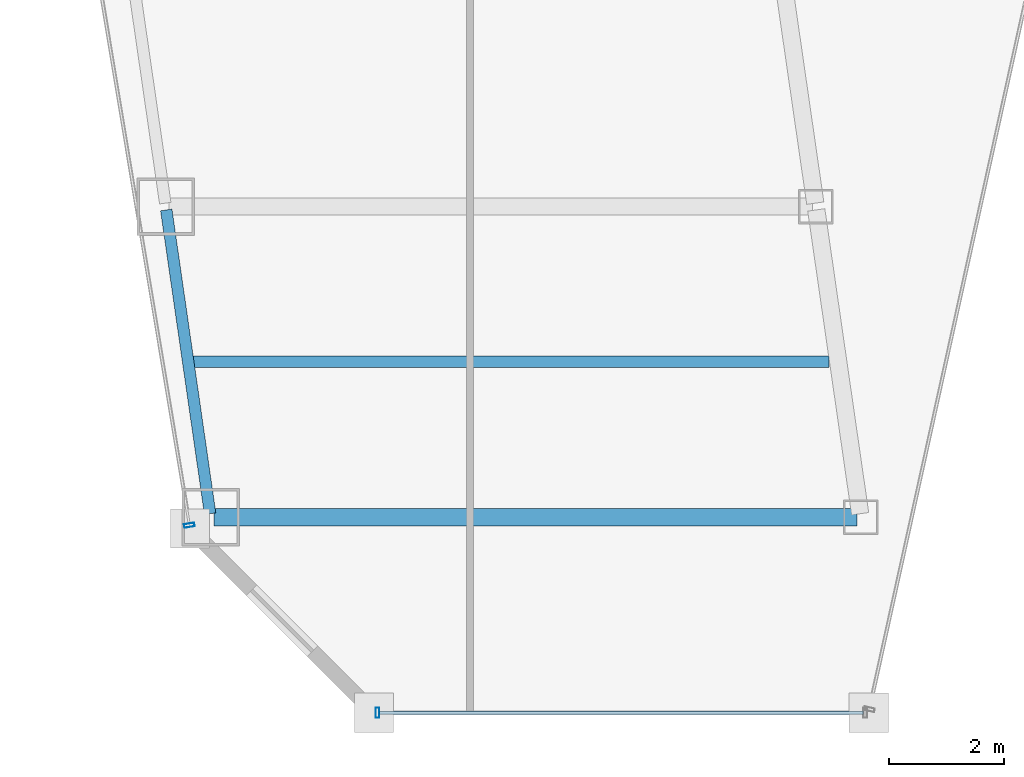
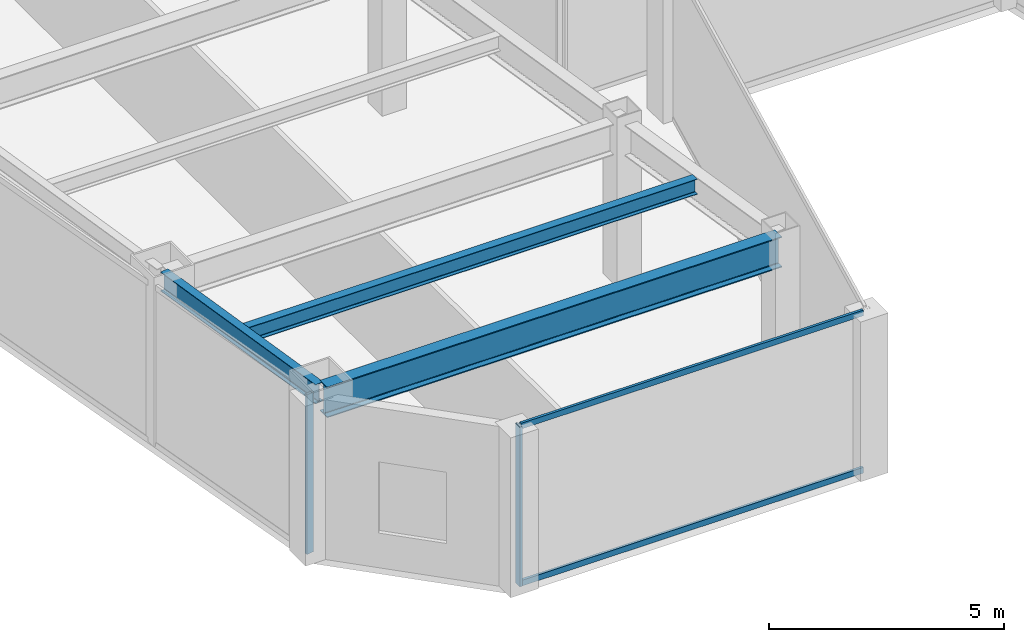
# One storey, part 2 of 37: 4 members, 3 beams, 2 elements without a shape of their own.
"""IFC4 building model written with IfcOpenShell, lengths in metres."""

from ifc_helpers import new_model, si_unit, direction, frame, origin, origin_2d, place, context, subcontext, project, spatial, hollow_rectangle, i_section, extrude, material, material_profile, profile_set, type_object, element, aggregate, save


model = new_model("IFC4")

# Units and contexts
model_context = context("Model", 3, precision=1e-05, world=origin(), true_north=direction((0.0, 1.0)))
body_context = subcontext(model_context, "Body", "Model", "MODEL_VIEW")
ifc_project = project(units=[si_unit("LENGTHUNIT", "METRE"), si_unit("AREAUNIT", "SQUARE_METRE"), si_unit("VOLUMEUNIT", "CUBIC_METRE"), si_unit("PLANEANGLEUNIT", "RADIAN"), si_unit("MASSUNIT", "GRAM", prefix="KILO")], contexts=[model_context])

# Site, building, storey
site_placement = place(None, origin())
site = spatial("IfcSite", under=ifc_project, at=site_placement, CompositionType="ELEMENT")
building_placement = place(site_placement, origin())
building = spatial("IfcBuilding", under=site, at=building_placement, Name="Saevonmaru Cultural Tower", CompositionType="ELEMENT")
storey_placement = place(building_placement, frame((0.0, 0.0, 106.0)))
storey = spatial("IfcBuildingStorey", under=building, at=storey_placement, Name="L22", CompositionType="ELEMENT", Elevation=106.0)

# Beams
ifc_material_1 = material(Name="Steel SM420", Category="steel")
ifc_material_profile_1 = material_profile(ifc_material_1, i_section(OverallWidth=0.300048828125, OverallDepth=0.800048828125, WebThickness=0.013916015625, FlangeThickness=0.02587890625, FilletRadius=0.028076171875, at=origin_2d()), Name="H-800x300x14x26")
ifc_profile_set_1 = profile_set([ifc_material_profile_1], Name="Steel SM420")
beam_type_1 = type_object("IfcBeamType", Name="BM-G-H800", PredefinedType="BEAM", material=ifc_profile_set_1)
beam_1_placement = place(storey_placement, frame((11.468017578125, 10.60009765625, 3.75), z_axis=(1.0, 0.0, 0.0), x_axis=(0.0, 1.0, 0.0)))
element("IfcBeam", 1, at=beam_1_placement, inside=storey, type_object=beam_type_1, Name="L22 West Wing Transverse Girder 1", PredefinedType="BEAM", context=body_context, shape_type="SweptSolid", body=[
    extrude(i_section(OverallWidth=0.300048828125, OverallDepth=0.800048828125, WebThickness=0.013916015625, FlangeThickness=0.02587890625, FilletRadius=0.028076171875, at=origin_2d()), origin(), (0.0, 0.0, 1.0), 11.179931640625),
])
ifc_material_2 = material(Name="Steel SM355", Category="steel")
ifc_material_profile_2 = material_profile(ifc_material_2, i_section(OverallWidth=0.199951171875, OverallDepth=0.39990234375, WebThickness=0.008056640625, FlangeThickness=0.012939453125, FilletRadius=0.01611328125, at=origin_2d()), Name="H-400x200x8x13")
ifc_profile_set_2 = profile_set([ifc_material_profile_2], Name="Steel SM355")
beam_type_2 = type_object("IfcBeamType", Name="BM-J-H400", PredefinedType="JOIST", material=ifc_profile_set_2)
beam_2_placement = place(storey_placement, frame((11.077880859375, 13.300048828125, 3.949951171875), z_axis=(1.0, 0.0, 0.0), x_axis=(0.0, 1.0, 0.0)))
element("IfcBeam", 2, at=beam_2_placement, inside=storey, type_object=beam_type_2, Name="L22 West Wing Floor Joist 1", PredefinedType="JOIST", context=body_context, shape_type="SweptSolid", body=[
    extrude(i_section(OverallWidth=0.199951171875, OverallDepth=0.39990234375, WebThickness=0.008056640625, FlangeThickness=0.012939453125, FilletRadius=0.01611328125, at=origin_2d()), origin(), (0.0, 0.0, 1.0), 11.08203125),
])
ifc_material_profile_3 = material_profile(ifc_material_2, i_section(OverallWidth=0.199951171875, OverallDepth=0.5, WebThickness=0.010009765625, FlangeThickness=0.01611328125, FilletRadius=0.02001953125, at=origin_2d()), Name="H-500x200x10x16")
ifc_profile_set_3 = profile_set([ifc_material_profile_3], Name="Steel SM355")
beam_type_3 = type_object("IfcBeamType", Name="BM-SP-H500", PredefinedType="SPANDREL", material=ifc_profile_set_3)
beam_3_placement = place(storey_placement, frame((11.3994140625, 10.659423828125, 3.89990234375), z_axis=(-0.1429328758, 0.989732384544, 0.0), x_axis=(-0.989732384544, -0.1429328758, 0.0)))
element("IfcBeam", 3, at=beam_3_placement, inside=storey, type_object=beam_type_3, Name="L22 West Splayed Spandrel 1", PredefinedType="SPANDREL", context=body_context, shape_type="SweptSolid", body=[
    extrude(i_section(OverallWidth=0.199951171875, OverallDepth=0.5, WebThickness=0.010009765625, FlangeThickness=0.01611328125, FilletRadius=0.02001953125, at=origin_2d()), origin(), (0.0, 0.0, 1.0), 5.3359375),
])

# Curtain wall, member
ifc_material_3 = material(Name="Satin Bronze Anodised Aluminium", Category="aluminium")
curtain_wall_type = type_object("IfcCurtainWallType", Name="CW-TYP-A", PredefinedType="NOTDEFINED", material=ifc_material_3)
curtain_wall_1_placement = place(storey_placement, origin())
curtain_wall_1 = element("IfcCurtainWall", 4, at=curtain_wall_1_placement, inside=storey, type_object=curtain_wall_type, Name="L22 Unitised Curtain Wall E2", PredefinedType="NOTDEFINED")
ifc_material_profile_4 = material_profile(ifc_material_3, hollow_rectangle(XDim=0.06494140625, YDim=0.179931640625, WallThickness=0.00390625, at=origin_2d()), Name="ALU-MULL-180x65x4")
ifc_profile_set_4 = profile_set([ifc_material_profile_4], Name="Satin Bronze Anodised Aluminium")
member_type_1 = type_object("IfcMemberType", Name="ML-CW-180x65", PredefinedType="MULLION", material=ifc_profile_set_4)
member_1_placement = place(storey_placement, frame((14.308837890625, 7.199951171875, 0.0), z_axis=(0.0, 0.0, 1.0), x_axis=(1.0, 0.0, 0.0)))
member_1 = element("IfcMember", 5, at=member_1_placement, type_object=member_type_1, Name="CW-TW-L22-E2 mullion 1", PredefinedType="MULLION", context=body_context, shape_type="SweptSolid", body=[
    extrude(hollow_rectangle(XDim=0.06494140625, YDim=0.179931640625, WallThickness=0.00390625, at=origin_2d()), origin(), (0.0, 0.0, 1.0), 4.14990234375),
])

curtain_wall_2_placement = place(storey_placement, origin())
curtain_wall_2 = element("IfcCurtainWall", 6, at=curtain_wall_2_placement, inside=storey, type_object=curtain_wall_type, Name="L22 Unitised Curtain Wall E12", PredefinedType="NOTDEFINED")
member_2_placement = place(storey_placement, frame((11.0390625, 10.459228515625, 0.0), z_axis=(0.0, 0.0, 1.0), x_axis=(0.163998702345, -0.986460554523, 0.0)))
member_2 = element("IfcMember", 7, at=member_2_placement, type_object=member_type_1, Name="CW-TW-L22-E12 mullion 5", PredefinedType="MULLION", context=body_context, shape_type="SweptSolid", body=[
    extrude(hollow_rectangle(XDim=0.06494140625, YDim=0.179931640625, WallThickness=0.00390625, at=origin_2d()), origin(), (0.0, 0.0, 1.0), 4.14990234375),
])
aggregate(curtain_wall_2, [member_2])

# Member
ifc_material_profile_5 = material_profile(ifc_material_3, hollow_rectangle(XDim=0.06494140625, YDim=0.14990234375, WallThickness=0.00390625, at=origin_2d()), Name="ALU-TRAN-150x65x4")
ifc_profile_set_5 = profile_set([ifc_material_profile_5], Name="Satin Bronze Anodised Aluminium")
member_type_2 = type_object("IfcMemberType", Name="TR-CW-150x65", PredefinedType="USERDEFINED", material=ifc_profile_set_5)
member_3_placement = place(storey_placement, frame((14.34130859375, 7.199951171875, 0.032470703125), z_axis=(1.0, 0.0, 0.0), x_axis=(0.0, 1.0, 0.0)))
member_3 = element("IfcMember", 8, at=member_3_placement, type_object=member_type_2, Name="CW-TW-L22-E2 transom 1.1", ObjectType="TRANSOM", PredefinedType="USERDEFINED", context=body_context, shape_type="SweptSolid", body=[
    extrude(hollow_rectangle(XDim=0.06494140625, YDim=0.14990234375, WallThickness=0.00390625, at=origin_2d()), origin(), (0.0, 0.0, 1.0), 8.4150390625),
])

member_4_placement = place(storey_placement, frame((14.34130859375, 7.199951171875, 4.117431640625), z_axis=(1.0, 0.0, 0.0), x_axis=(0.0, 1.0, 0.0)))
member_4 = element("IfcMember", 9, at=member_4_placement, type_object=member_type_2, Name="CW-TW-L22-E2 transom 1.2", ObjectType="TRANSOM", PredefinedType="USERDEFINED", context=body_context, shape_type="SweptSolid", body=[
    extrude(hollow_rectangle(XDim=0.06494140625, YDim=0.14990234375, WallThickness=0.00390625, at=origin_2d()), origin(), (0.0, 0.0, 1.0), 8.4150390625),
])

aggregate(curtain_wall_1, [member_1, member_3, member_4])

save(model, "model.ifc")
